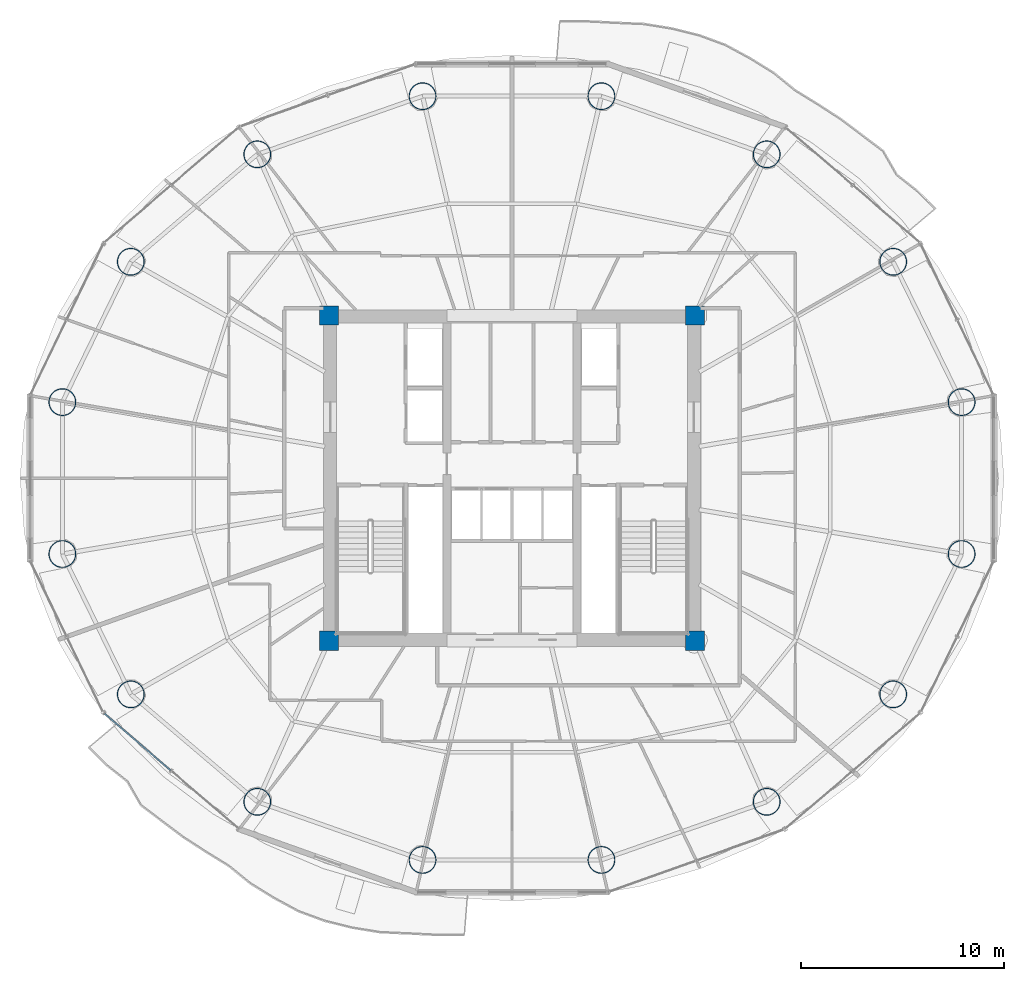
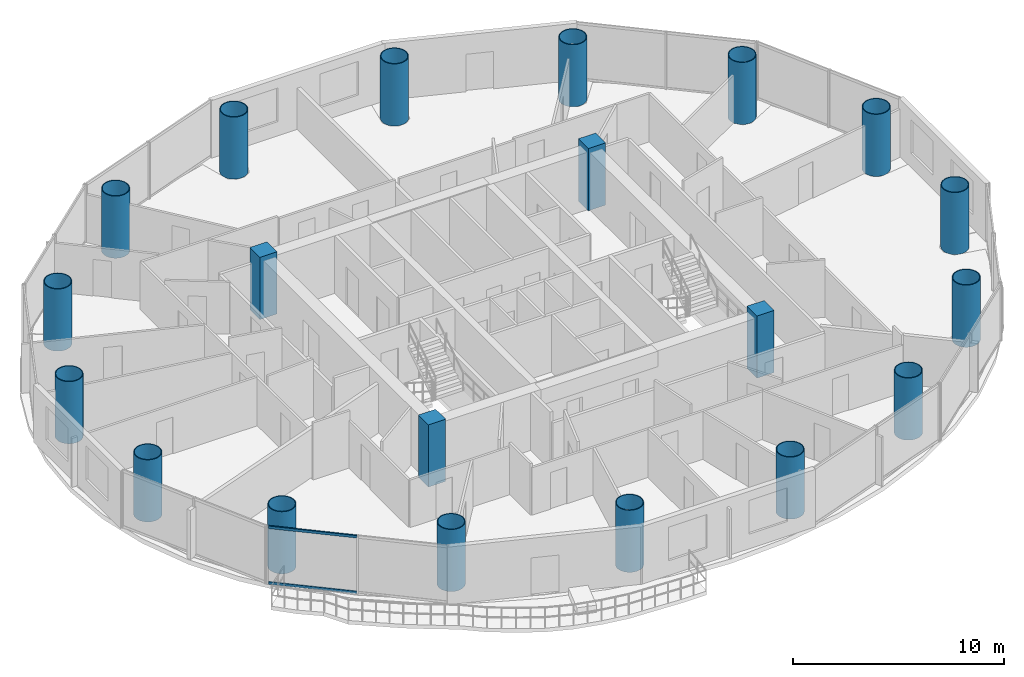
# One storey, part 1 of 27: 20 columns, 2 members, 1 element without a shape of its own.
"""IFC4 building model written with IfcOpenShell, lengths in metres."""

from ifc_helpers import new_model, si_unit, direction, frame, origin, origin_2d, place, context, subcontext, project, spatial, rectangle, hollow_rectangle, hollow_circle, extrude, source, transform, mapped, material, material_profile, profile_set, type_object, element, aggregate, save


model = new_model("IFC4")

# Units and contexts
model_context = context("Model", 3, precision=1e-05, world=origin(), true_north=direction((-0.2419218956, 0.970295726276)))
body_context = subcontext(model_context, "Body", "Model", "MODEL_VIEW")
ifc_project = project(units=[si_unit("LENGTHUNIT", "METRE"), si_unit("AREAUNIT", "SQUARE_METRE"), si_unit("VOLUMEUNIT", "CUBIC_METRE"), si_unit("PLANEANGLEUNIT", "RADIAN"), si_unit("MASSUNIT", "GRAM", prefix="KILO")], contexts=[model_context])

# Site, building, storey
site_placement = place(None, origin())
site = spatial("IfcSite", under=ifc_project, at=site_placement, CompositionType="ELEMENT")
building_placement = place(site_placement, origin())
building = spatial("IfcBuilding", under=site, at=building_placement, Name="Cobrevalo Terracotta Tower", CompositionType="ELEMENT")
storey_placement = place(building_placement, frame((0.0, 0.0, 146.199951171875)))
storey = spatial("IfcBuildingStorey", under=building, at=storey_placement, Name="L38", CompositionType="ELEMENT", Elevation=146.199951171875)

# Columns
ifc_material_1 = material(Name="Steel S355", Category="steel")
ifc_material_profile_1 = material_profile(ifc_material_1, hollow_circle(Radius=0.675048828125, WallThickness=0.0419921875, at=origin_2d()), Name="CHS 1350x42")
ifc_profile_set_1 = profile_set([ifc_material_profile_1], Name="Steel S355")
column_type_1 = type_object("IfcColumnType", Name="Structural Column CHS 1350x42 (Steel S355)", PredefinedType="COLUMN", material=ifc_profile_set_1)
for number, where, z_axis, x_axis, name in (
    (1, (60.11669921875, 30.535888671875, 0.0), (0.0, 0.0, 1.0), (1.0, 0.0, 0.0), "L38 composite megacolumn MC01"),
    (2, (56.749755859375, 37.439208984375, 0.0), (0.0, 0.0, 1.0), (1.0, 0.0, 0.0), "L38 composite megacolumn MC02"),
    (3, (50.528076171875, 42.72265625, 0.0), (0.0, 0.0, 1.0), (1.0, 0.0, 0.0), "L38 composite megacolumn MC03"),
    (4, (42.399169921875, 45.58203125, 0.0), (0.0, 0.0, 1.0), (1.0, 0.0, 0.0), "L38 composite megacolumn MC04"),
    (5, (33.600830078125, 45.58203125, 0.0), (0.0, 0.0, 1.0), (1.0, 0.0, 0.0), "L38 composite megacolumn MC05"),
    (6, (25.471923828125, 42.72265625, 0.0), (0.0, 0.0, 1.0), (1.0, 0.0, 0.0), "L38 composite megacolumn MC06"),
    (7, (19.250244140625, 37.439208984375, 0.0), (0.0, 0.0, 1.0), (1.0, 0.0, 0.0), "L38 composite megacolumn MC07"),
    (8, (15.88330078125, 30.535888671875, 0.0), (0.0, 0.0, 1.0), (1.0, 0.0, 0.0), "L38 composite megacolumn MC08"),
    (9, (15.88330078125, 23.06396484375, 0.0), (0.0, 0.0, 1.0), (1.0, 0.0, 0.0), "L38 composite megacolumn MC09"),
    (10, (19.250244140625, 16.160888671875, 0.0), (0.0, 0.0, 1.0), (1.0, 0.0, 0.0), "L38 composite megacolumn MC10"),
    (11, (25.471923828125, 10.87744140625, 0.0), (0.0, 0.0, 1.0), (1.0, 0.0, 0.0), "L38 composite megacolumn MC11"),
    (12, (33.600830078125, 8.01806640625, 0.0), (0.0, 0.0, 1.0), (1.0, 0.0, 0.0), "L38 composite megacolumn MC12"),
    (13, (42.399169921875, 8.01806640625, 0.0), (0.0, 0.0, 1.0), (1.0, 0.0, 0.0), "L38 composite megacolumn MC13"),
    (14, (50.528076171875, 10.87744140625, 0.0), (0.0, 0.0, 1.0), (1.0, 0.0, 0.0), "L38 composite megacolumn MC14"),
    (15, (56.749755859375, 16.160888671875, 0.0), (0.0, 0.0, 1.0), (1.0, 0.0, 0.0), "L38 composite megacolumn MC15"),
    (16, (60.11669921875, 23.06396484375, 0.0), (0.0, 0.0, 1.0), (1.0, 0.0, 0.0), "L38 composite megacolumn MC16"),
):
    element("IfcColumn", number, at=place(storey_placement, frame(where, z_axis=z_axis, x_axis=x_axis)), inside=storey, type_object=column_type_1, Name=name, PredefinedType="COLUMN", context=body_context, shape_type="SweptSolid", body=[
        extrude(hollow_circle(Radius=0.675048828125, WallThickness=0.0419921875, at=origin_2d()), origin(), (0.0, 0.0, 1.0), 3.60009765625),
    ])
ifc_material_2 = material(Name="Concrete C55", Category="concrete")
ifc_material_profile_2 = material_profile(ifc_material_2, rectangle(XDim=0.949951171875, YDim=0.949951171875, at=origin_2d()), Name="RC COL 950x950")
ifc_profile_set_2 = profile_set([ifc_material_profile_2], Name="Concrete C55")
column_type_2 = type_object("IfcColumnType", Name="Structural Column RC COL 950x950 (Concrete C55)", PredefinedType="COLUMN", material=ifc_profile_set_2)
for number, where, z_axis, x_axis, name in (
    (17, (29.0, 18.800048828125, 0.0), (0.0, 0.0, 1.0), (1.0, 0.0, 0.0), "L38 core corner column CC1"),
    (18, (47.0, 18.800048828125, 0.0), (0.0, 0.0, 1.0), (1.0, 0.0, 0.0), "L38 core corner column CC2"),
    (19, (47.0, 34.800048828125, 0.0), (0.0, 0.0, 1.0), (1.0, 0.0, 0.0), "L38 core corner column CC3"),
    (20, (29.0, 34.800048828125, 0.0), (0.0, 0.0, 1.0), (1.0, 0.0, 0.0), "L38 core corner column CC4"),
):
    element("IfcColumn", number, at=place(storey_placement, frame(where, z_axis=z_axis, x_axis=x_axis)), inside=storey, type_object=column_type_2, Name=name, PredefinedType="COLUMN", context=body_context, shape_type="SweptSolid", body=[
        extrude(rectangle(XDim=0.949951171875, YDim=0.949951171875, at=origin_2d()), origin(), (0.0, 0.0, 1.0), 3.60009765625),
    ])

# Curtain wall, members
ifc_material_3 = material(Name="Anodized aluminium", Category="aluminium")
curtain_wall_type = type_object("IfcCurtainWallType", Name="Mid-tower high-wind unitised curtain wall CW-U2", PredefinedType="NOTDEFINED", material=ifc_material_3)
curtain_wall_placement = place(storey_placement, origin())
curtain_wall = element("IfcCurtainWall", 21, at=curtain_wall_placement, inside=storey, type_object=curtain_wall_type, Name="L38 curtain wall CW-L38-S10", PredefinedType="NOTDEFINED")
ifc_material_profile_3 = material_profile(ifc_material_3, hollow_rectangle(XDim=0.074951171875, YDim=0.14990234375, WallThickness=0.00439453125, at=origin_2d()), Name="CWT 75x150")
ifc_profile_set_3 = profile_set([ifc_material_profile_3], Name="Anodized aluminium")
member_type = type_object("IfcMemberType", Name="Tower unitised aluminium transom 75x150", PredefinedType="USERDEFINED", material=ifc_profile_set_3)
shared_shape = source(origin(), body_context, "Body", "SweptSolid", [
    extrude(hollow_rectangle(XDim=0.074951171875, YDim=0.14990234375, WallThickness=0.00439453125, at=origin_2d()), origin(), (0.0, 0.0, 1.0), 4.276123046875),
])
member_1_placement = place(storey_placement, frame((17.964111328125, 15.208740234375, 0.050048828125), z_axis=(0.758417719247, -0.651768795764, 0.0), x_axis=(0.651768795764, 0.758417719247, 0.0)))
member_1 = element("IfcMember", 22, at=member_1_placement, type_object=member_type, Name="CW-L38-S10 transom B01-T1", ObjectType="TRANSOM", PredefinedType="USERDEFINED", context=body_context, shape_type="MappedRepresentation", body=[
    mapped(shared_shape, transform((0.0, 0.0, 0.0), scale=1.0)),
])
member_2_placement = place(storey_placement, frame((17.964111328125, 15.208740234375, 3.280029296875), z_axis=(0.758417719247, -0.651768795764, 0.0), x_axis=(0.651768795764, 0.758417719247, 0.0)))
member_2 = element("IfcMember", 23, at=member_2_placement, type_object=member_type, Name="CW-L38-S10 transom B01-T2", ObjectType="TRANSOM", PredefinedType="USERDEFINED", context=body_context, shape_type="MappedRepresentation", body=[
    mapped(shared_shape, transform((0.0, 0.0, 0.0), scale=1.0)),
])
aggregate(curtain_wall, [member_1, member_2])

save(model, "model.ifc")
